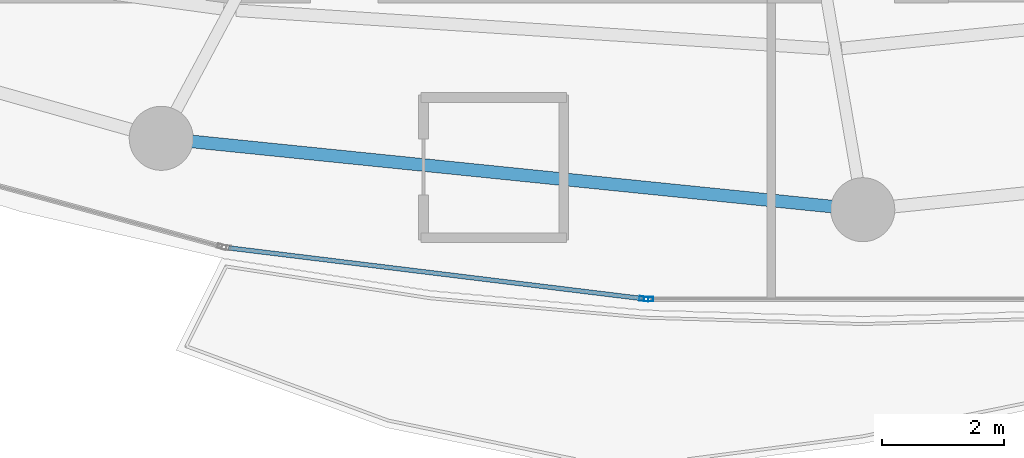
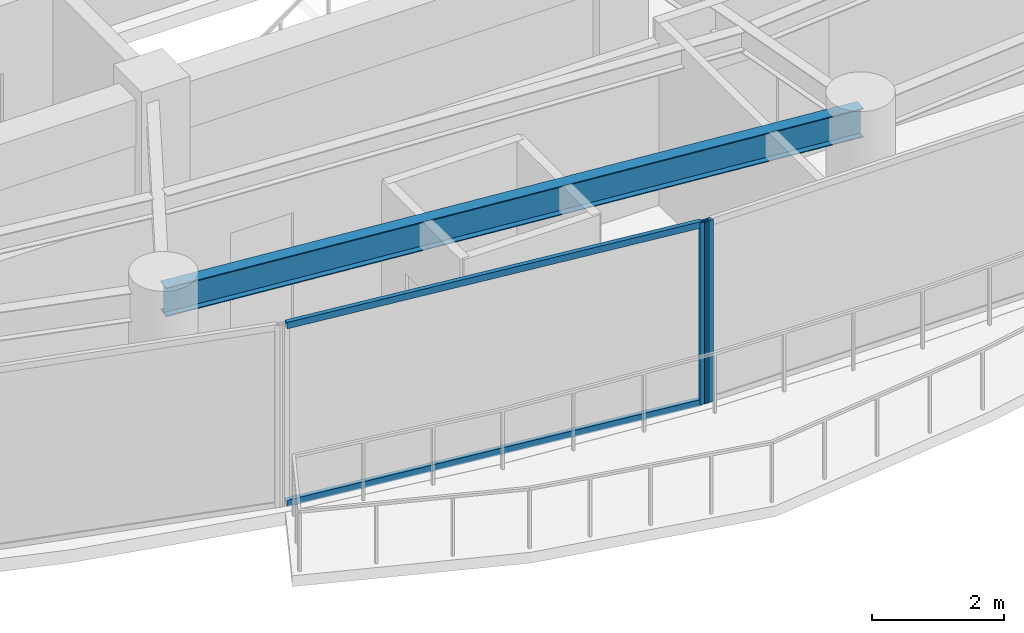
# One storey, part 6 of 31: 4 members, 1 beam, 2 elements without a shape of their own.
"""IFC4 building model written with IfcOpenShell, lengths in metres."""

from ifc_helpers import new_model, si_unit, direction, frame, origin, origin_2d, place, context, subcontext, project, spatial, hollow_rectangle, i_section, extrude, material, layer, layer_set, material_profile, profile_set, type_object, element, aggregate, save


model = new_model("IFC4")

# Units and contexts
model_context = context("Model", 3, precision=1e-05, world=origin(), true_north=direction((0.0, 1.0)))
body_context = subcontext(model_context, "Body", "Model", "MODEL_VIEW")
ifc_project = project(units=[si_unit("LENGTHUNIT", "METRE"), si_unit("AREAUNIT", "SQUARE_METRE"), si_unit("VOLUMEUNIT", "CUBIC_METRE"), si_unit("PLANEANGLEUNIT", "RADIAN"), si_unit("MASSUNIT", "GRAM", prefix="KILO")], contexts=[model_context])

# Site, building, storey
site_placement = place(None, origin())
site = spatial("IfcSite", under=ifc_project, at=site_placement, CompositionType="ELEMENT")
building_placement = place(site_placement, origin())
building = spatial("IfcBuilding", under=site, at=building_placement, Name="Kazevale Care Tower and Concert Hall", CompositionType="ELEMENT")
storey_placement = place(building_placement, frame((0.0, 0.0, 210.0)))
storey = spatial("IfcBuildingStorey", under=building, at=storey_placement, Name="L55", CompositionType="ELEMENT", Elevation=210.0)

# Curtain wall, member
ifc_material_1 = material(Name="Aluminium 6063-T6 and Low-E Glass", Category="aluminium")
ifc_layer = layer(ifc_material_1, 0.179931640625)
ifc_layer_set = layer_set([ifc_layer], Name="Aluminium 6063-T6 and Low-E Glass")
curtain_wall_type = type_object("IfcCurtainWallType", Name="Sheltered Concave Balcony Curtain Wall CW-5", PredefinedType="NOTDEFINED", material=ifc_layer_set)
curtain_wall_1_placement = place(storey_placement, origin())
curtain_wall_1 = element("IfcCurtainWall", 1, at=curtain_wall_1_placement, inside=storey, type_object=curtain_wall_type, Name="cw:L55:f06", PredefinedType="NOTDEFINED")
ifc_material_2 = material(Name="Aluminium 6063-T6", Category="aluminium")
ifc_material_profile_1 = material_profile(ifc_material_2, hollow_rectangle(XDim=0.074951171875, YDim=0.14990234375, WallThickness=0.00390625, at=origin_2d()), Name="ALU75x150x4")
ifc_profile_set_1 = profile_set([ifc_material_profile_1], Name="Aluminium 6063-T6")
member_type_1 = type_object("IfcMemberType", Name="CW-5 Mullion ALU75x150x4", PredefinedType="MULLION", material=ifc_profile_set_1)
member_1_placement = place(storey_placement, frame((41.487548828125, 16.284912109375, 0.0), z_axis=(0.0, 0.0, 1.0), x_axis=(0.0, -1.0, 0.0)))
member_1 = element("IfcMember", 2, at=member_1_placement, type_object=member_type_1, Name="CW-5 mullion 2", PredefinedType="MULLION", context=body_context, shape_type="SweptSolid", body=[
    extrude(hollow_rectangle(XDim=0.074951171875, YDim=0.14990234375, WallThickness=0.00390625, at=origin_2d()), origin(), (0.0, 0.0, 1.0), 3.360107421875),
])
aggregate(curtain_wall_1, [member_1])

# Curtain wall, members
curtain_wall_2_placement = place(storey_placement, origin())
curtain_wall_2 = element("IfcCurtainWall", 3, at=curtain_wall_2_placement, inside=storey, type_object=curtain_wall_type, Name="cw:L55:f07", PredefinedType="NOTDEFINED")
member_2_placement = place(storey_placement, frame((41.412841796875, 16.28955078125, 0.0), z_axis=(0.0, 0.0, 1.0), x_axis=(-0.121650797964, -0.992572961225, 0.0)))
member_2 = element("IfcMember", 4, at=member_2_placement, type_object=member_type_1, Name="CW-5 mullion 1", PredefinedType="MULLION", context=body_context, shape_type="SweptSolid", body=[
    extrude(hollow_rectangle(XDim=0.074951171875, YDim=0.14990234375, WallThickness=0.00390625, at=origin_2d()), origin(), (0.0, 0.0, 1.0), 3.360107421875),
])
ifc_material_profile_2 = material_profile(ifc_material_2, hollow_rectangle(XDim=0.074951171875, YDim=0.1201171875, WallThickness=0.00390625, at=origin_2d()), Name="ALU75x120x4")
ifc_profile_set_2 = profile_set([ifc_material_profile_2], Name="Aluminium 6063-T6")
member_type_2 = type_object("IfcMemberType", Name="CW-5 Transom ALU75x120x4", PredefinedType="USERDEFINED", material=ifc_profile_set_2)
member_3_placement = place(storey_placement, frame((41.37548828125, 16.294189453125, 0.03759765625), z_axis=(-0.992575633306, 0.121628993941, 0.0), x_axis=(-0.121628993941, -0.992575633306, 0.0)))
member_3 = element("IfcMember", 5, at=member_3_placement, type_object=member_type_2, Name="CW-5 transom 1.1", ObjectType="TRANSOM", PredefinedType="USERDEFINED", context=body_context, shape_type="SweptSolid", body=[
    extrude(hollow_rectangle(XDim=0.074951171875, YDim=0.1201171875, WallThickness=0.00390625, at=origin_2d()), origin(), (0.0, 0.0, 1.0), 6.820556640625),
])
member_4_placement = place(storey_placement, frame((41.37548828125, 16.294189453125, 3.322509765625), z_axis=(-0.992575633306, 0.121628993941, 0.0), x_axis=(-0.121628993941, -0.992575633306, 0.0)))
member_4 = element("IfcMember", 6, at=member_4_placement, type_object=member_type_2, Name="CW-5 transom 1.2", ObjectType="TRANSOM", PredefinedType="USERDEFINED", context=body_context, shape_type="SweptSolid", body=[
    extrude(hollow_rectangle(XDim=0.074951171875, YDim=0.1201171875, WallThickness=0.00390625, at=origin_2d()), origin(), (0.0, 0.0, 1.0), 6.820556640625),
])
aggregate(curtain_wall_2, [member_2, member_3, member_4])

# Beam
ifc_material_3 = material(Name="Steel ASTM A572 Gr 50", Category="steel")
ifc_material_profile_3 = material_profile(ifc_material_3, i_section(OverallWidth=0.208984375, OverallDepth=0.532958984375, WebThickness=0.01025390625, FlangeThickness=0.015625, at=origin_2d()), Name="W530x92")
ifc_profile_set_3 = profile_set([ifc_material_profile_3], Name="Steel ASTM A572 Gr 50")
beam_type = type_object("IfcBeamType", Name="Upper Ring Beam W530x92", PredefinedType="BEAM", material=ifc_profile_set_3)
beam_placement = place(storey_placement, frame((33.5, 18.919921875, 3.093505859375), z_axis=(0.994865089307, -0.101209950492, 0.0), x_axis=(0.101209950492, 0.994865089307, 0.0)))
element("IfcBeam", 7, at=beam_placement, inside=storey, type_object=beam_type, Name="beam:L55:ring:12", PredefinedType="BEAM", context=body_context, shape_type="SweptSolid", body=[
    extrude(i_section(OverallWidth=0.208984375, OverallDepth=0.532958984375, WebThickness=0.01025390625, FlangeThickness=0.015625, at=origin_2d()), origin(), (0.0, 0.0, 1.0), 11.559326171875),
])

save(model, "model.ifc")
